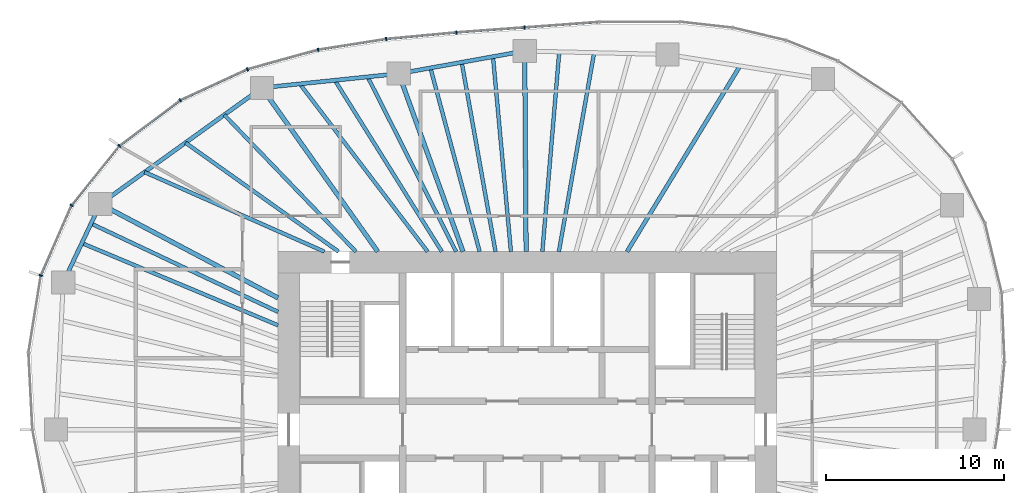
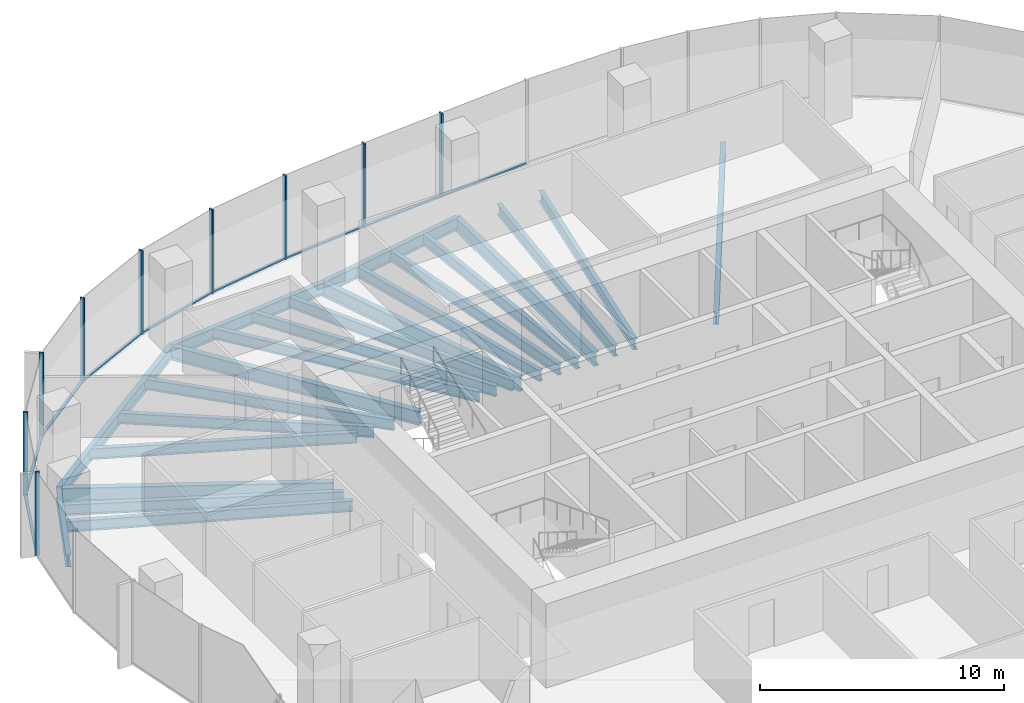
# One storey, part 5 of 12: 22 beams, 18 members, 6 elements without a shape of their own.
"""IFC4 building model written with IfcOpenShell, lengths in metres."""

import ifcopenshell
import ifcopenshell.guid

model = None  # the IFC model being written
_history = None  # IfcOwnerHistory: only IFC2X3 demands one
_inside = {}  # id of a spatial element -> (the spatial element, [elements in it])
_under = {}  # id of a project, library or spatial element -> (it, [spatial elements below it])
_declared = {}  # id of a project -> (the project, [libraries it declares])
_typed = {}  # id of a type object -> (the type object, [elements of that type])
_made_of = {}  # id of a material, layer set ... -> (it, [elements and type objects made of it])


def new_model(schema):
    """Start an empty IFC model of exactly this schema.

    Asked for "IFC4X3", IfcOpenShell would pick the latest addendum, in which some entities
    have other attributes; the version numbers below select the first issue.
    IFC2X3 requires an IfcOwnerHistory on every rooted entity: one is made here for all.
    """
    global model, _history
    if schema == "IFC4X3":
        model = ifcopenshell.file(schema_version=(4, 3, 0, 0))
    else:
        model = ifcopenshell.file(schema=schema)
    _inside.clear()
    _under.clear()
    _declared.clear()
    _typed.clear()
    _made_of.clear()
    _history = None
    if model.schema == "IFC2X3":
        org = make("IfcOrganization", Name="unknown")
        user = make(
            "IfcPersonAndOrganization",
            ThePerson=make("IfcPerson", FamilyName="unknown"),
            TheOrganization=org,
        )
        app = make(
            "IfcApplication",
            ApplicationDeveloper=org,
            Version="unknown",
            ApplicationFullName="unknown",
            ApplicationIdentifier="unknown",
        )
        _history = make(
            "IfcOwnerHistory",
            OwningUser=user,
            OwningApplication=app,
            ChangeAction="ADDED",
            CreationDate=0,
        )
    return model


def make(cls, **values):
    """One entity of the class cls with the attributes given. An attribute that is None is left unset."""
    return model.create_entity(
        cls, **{name: value for name, value in values.items() if value is not None}
    )


def rooted(cls, **values):
    """An entity with a GlobalId (a new one), such as an element, a storey or a relation."""
    return make(cls, GlobalId=ifcopenshell.guid.new(), OwnerHistory=_history, **values)


def si_unit(unit_type, name, prefix=None):
    """IfcSIUnit, for example si_unit("LENGTHUNIT", "METRE", prefix="MILLI")."""
    return make("IfcSIUnit", UnitType=unit_type, Prefix=prefix, Name=name)


def assignment(units):
    """IfcUnitAssignment: the units of a project."""
    return None if units is None else make("IfcUnitAssignment", Units=units)


def point(xyz):
    """IfcCartesianPoint."""
    return None if xyz is None else make("IfcCartesianPoint", Coordinates=xyz)


def direction(xyz):
    """IfcDirection."""
    return None if xyz is None else make("IfcDirection", DirectionRatios=xyz)


def frame(location, z_axis=None, x_axis=None):
    """IfcAxis2Placement3D, a coordinate frame: its origin and axes. An axis left out is left unset."""
    return make(
        "IfcAxis2Placement3D",
        Location=point(location),
        Axis=direction(z_axis),
        RefDirection=direction(x_axis),
    )


def frame_2d(location, x_axis=None):
    """IfcAxis2Placement2D, a coordinate frame in the plane: its origin and x axis."""
    return make(
        "IfcAxis2Placement2D", Location=point(location), RefDirection=direction(x_axis)
    )


def origin():
    """The frame at (0, 0, 0) with its axes left unset."""
    return frame((0.0, 0.0, 0.0))


def origin_2d():
    """The frame at (0, 0) in the plane with its x axis left unset."""
    return frame_2d((0.0, 0.0))


def place(relative_to, where):
    """IfcLocalPlacement: puts the frame where relative to a parent placement (None: the world)."""
    return make(
        "IfcLocalPlacement", PlacementRelTo=relative_to, RelativePlacement=where
    )


def context(
    kind, dimensions, precision=None, world=None, true_north=None, identifier=None
):
    """IfcGeometricRepresentationContext, for example the 3D "Model" context."""
    return make(
        "IfcGeometricRepresentationContext",
        ContextIdentifier=identifier,
        ContextType=kind,
        CoordinateSpaceDimension=dimensions,
        Precision=precision,
        WorldCoordinateSystem=world,
        TrueNorth=true_north,
    )


def subcontext(parent, identifier, kind, view, scale=None):
    """IfcGeometricRepresentationSubContext, for example "Body" below "Model"."""
    return make(
        "IfcGeometricRepresentationSubContext",
        ContextIdentifier=identifier,
        ContextType=kind,
        ParentContext=parent,
        TargetScale=scale,
        TargetView=view,
    )


def project(units=None, contexts=None):
    """IfcProject with its units and contexts."""
    return rooted(
        "IfcProject",
        Name="project",
        RepresentationContexts=contexts,
        UnitsInContext=assignment(units),
    )


def spatial(cls, under=None, at=None, **own):
    """A site, building, storey or space (cls), placed at a placement, below another one or the project."""
    s = rooted(cls, ObjectPlacement=at, **own)
    if under is not None:
        _under.setdefault(under.id(), (under, []))[1].append(s)
    return s


def profile(cls, at=None, kind="AREA", **sizes):
    """A parametric profile (cls). Its sizes go by their IFC names, for example OverallWidth=200.0."""
    return make(cls, ProfileType=kind, Position=at, **sizes)


def rectangle(**sizes):
    """IfcRectangleProfileDef."""
    return profile("IfcRectangleProfileDef", **sizes)


def i_section(**sizes):
    """IfcIShapeProfileDef."""
    return profile("IfcIShapeProfileDef", **sizes)


def extrude(swept, where, along, depth):
    """IfcExtrudedAreaSolid: the profile swept, set in the frame where, extruded along a direction by depth."""
    return make(
        "IfcExtrudedAreaSolid",
        SweptArea=swept,
        Position=where,
        ExtrudedDirection=direction(along),
        Depth=depth,
    )


def shape(context_of_items, identifier, shape_type, items):
    """IfcShapeRepresentation: the items that make up one representation, for example the "Body"."""
    return make(
        "IfcShapeRepresentation",
        ContextOfItems=context_of_items,
        RepresentationIdentifier=identifier,
        RepresentationType=shape_type,
        Items=items,
    )


def material(Name=None, Category=None):
    """IfcMaterial."""
    return make("IfcMaterial", Name=Name, Category=Category)


def material_profile(
    of_material, cross_section, Name=None, Category=None, Priority=None
):
    """IfcMaterialProfile: a cross section and its material."""
    return make(
        "IfcMaterialProfile",
        Name=Name,
        Material=of_material,
        Profile=cross_section,
        Priority=Priority,
        Category=Category,
    )


def profile_set(profiles, Name=None, composite=None):
    """IfcMaterialProfileSet."""
    return make(
        "IfcMaterialProfileSet",
        Name=Name,
        MaterialProfiles=profiles,
        CompositeProfile=composite,
    )


def made_of(thing, what):
    """Note that an element or type object is made of a material, layer set ...; save() writes the relation."""
    if what is not None:
        _made_of.setdefault(what.id(), (what, []))[1].append(thing)
    return thing


def type_object(cls, material=None, **own):
    """A type object (cls), such as IfcWallType, which elements share."""
    return made_of(rooted(cls, **own), material)


def element(
    cls,
    number,
    at=None,
    inside=None,
    cuts=None,
    type_object=None,
    material=None,
    context=None,
    identifier="Body",
    shape_type=None,
    held_by="IfcProductDefinitionShape",
    body=None,
    shapes=None,
    **own,
):
    """One element of the class cls, such as IfcWall. Its Tag is "e" and its number.

    at: its placement. inside: the storey or other place that contains it. cuts: it is an
    opening in that element (IfcRelVoidsElement). A single representation is given by context,
    identifier, shape_type and body (its items); several are given by shapes. held_by: the class
    of the entity that holds the representations. save() writes the other relations.
    """
    e = rooted(cls, Tag="e%d" % number, ObjectPlacement=at, **own)
    if body is not None:
        shapes = [shape(context, identifier, shape_type, body)]
    if shapes is not None:
        e.Representation = make(held_by, Representations=shapes)
    if inside is not None:
        _inside.setdefault(inside.id(), (inside, []))[1].append(e)
    if cuts is not None:
        rooted(
            "IfcRelVoidsElement", RelatingBuildingElement=cuts, RelatedOpeningElement=e
        )
    if type_object is not None:
        _typed.setdefault(type_object.id(), (type_object, []))[1].append(e)
    return made_of(e, material)


def aggregate(whole, parts):
    """IfcRelAggregates: a whole, such as a stair, and the parts it consists of."""
    return rooted("IfcRelAggregates", RelatingObject=whole, RelatedObjects=parts)


def save(model, path):
    """Write the relations noted so far, then the file.

    IfcRelAggregates (storeys below a building ...), IfcRelContainedInSpatialStructure (elements
    in a storey), IfcRelDefinesByType, IfcRelAssociatesMaterial and IfcRelDeclares: one each for
    every whole, place, type object, material and project.
    """
    for whole, parts in _under.values():
        aggregate(whole, parts)
    for where, things in _inside.values():
        rooted(
            "IfcRelContainedInSpatialStructure",
            RelatedElements=things,
            RelatingStructure=where,
        )
    for kind, things in _typed.values():
        rooted("IfcRelDefinesByType", RelatedObjects=things, RelatingType=kind)
    for what, things in _made_of.values():
        rooted("IfcRelAssociatesMaterial", RelatedObjects=things, RelatingMaterial=what)
    for by, libraries in _declared.values():
        rooted("IfcRelDeclares", RelatingContext=by, RelatedDefinitions=libraries)
    model.write(path)


model = new_model("IFC4")

# Units and contexts
model_context = context("Model", 3, precision=1e-05, world=origin(), true_north=direction((0.0, 1.0)))
body_context = subcontext(model_context, "Body", "Model", "MODEL_VIEW")
ifc_project = project(units=[si_unit("LENGTHUNIT", "METRE"), si_unit("AREAUNIT", "SQUARE_METRE"), si_unit("VOLUMEUNIT", "CUBIC_METRE"), si_unit("PLANEANGLEUNIT", "RADIAN"), si_unit("MASSUNIT", "GRAM", prefix="KILO")], contexts=[model_context])

# Site, building, storey
site_placement = place(None, origin())
site = spatial("IfcSite", under=ifc_project, at=site_placement, CompositionType="ELEMENT")
building_placement = place(site_placement, origin())
building = spatial("IfcBuilding", under=site, at=building_placement, Name="Ghaith Harvest Tower", CompositionType="ELEMENT")
storey_placement = place(building_placement, frame((0.0, 0.0, 224.199951171875)))
storey = spatial("IfcBuildingStorey", under=building, at=storey_placement, Name="L49", CompositionType="ELEMENT", Elevation=224.199951171875)

# Curtain wall, members
ifc_material_1 = material(Name="Black anodised aluminium and fritted glass", Category="aluminium")
curtain_wall_type = type_object("IfcCurtainWallType", Name="CW-H CURTAIN WALL", PredefinedType="NOTDEFINED", material=ifc_material_1)
curtain_wall_1_placement = place(storey_placement, origin())
curtain_wall_1 = element("IfcCurtainWall", 1, at=curtain_wall_1_placement, inside=storey, type_object=curtain_wall_type, Name="Curtain wall CW-H bay 06 L49", PredefinedType="NOTDEFINED")
ifc_material_2 = material(Name="Aluminium, black anodised", Category="aluminium")
ifc_material_profile_1 = material_profile(ifc_material_2, rectangle(XDim=0.080078125, YDim=0.199951171875, at=origin_2d()), Name="CW-H MULLION 80x200")
ifc_profile_set_1 = profile_set([ifc_material_profile_1], Name="Aluminium, black anodised")
member_type_1 = type_object("IfcMemberType", Name="CW-H MULLION 80x200", PredefinedType="MULLION", material=ifc_profile_set_1)
member_1_placement = place(storey_placement, frame((-0.154541015625, 22.590576171875, 0.0), z_axis=(0.0, 0.0, 1.0), x_axis=(-0.997329249665, -0.073036756239, 0.0)))
member_1 = element("IfcMember", 2, at=member_1_placement, type_object=member_type_1, Name="CW-H mullion 1 bay 06 L49", PredefinedType="MULLION", context=body_context, shape_type="SweptSolid", body=[
    extrude(rectangle(XDim=0.080078125, YDim=0.199951171875, at=origin_2d()), origin(), (0.0, 0.0, 1.0), 4.199951171875),
])
member_2_placement = place(storey_placement, frame((-3.984375, 22.310302734375, 0.0), z_axis=(0.0, 0.0, 1.0), x_axis=(-0.996522526822, -0.083323787336, 0.0)))
member_2 = element("IfcMember", 3, at=member_2_placement, type_object=member_type_1, Name="CW-H mullion 2 bay 06 L49", PredefinedType="MULLION", context=body_context, shape_type="SweptSolid", body=[
    extrude(rectangle(XDim=0.080078125, YDim=0.199951171875, at=origin_2d()), origin(), (0.0, 0.0, 1.0), 4.199951171875),
])

curtain_wall_2_placement = place(storey_placement, origin())
curtain_wall_2 = element("IfcCurtainWall", 4, at=curtain_wall_2_placement, inside=storey, type_object=curtain_wall_type, Name="Curtain wall CW-H bay 07 L49", PredefinedType="NOTDEFINED")
member_3_placement = place(storey_placement, frame((-7.924560546875, 21.94091796875, 0.0), z_axis=(0.0, 0.0, 1.0), x_axis=(-0.992235485325, -0.124373396119, 0.0)))
member_3 = element("IfcMember", 5, at=member_3_placement, type_object=member_type_1, Name="CW-H mullion 1 bay 07 L49", PredefinedType="MULLION", context=body_context, shape_type="SweptSolid", body=[
    extrude(rectangle(XDim=0.080078125, YDim=0.199951171875, at=origin_2d()), origin(), (0.0, 0.0, 1.0), 4.199951171875),
])
member_4_placement = place(storey_placement, frame((-11.75244140625, 21.336669921875, 0.0), z_axis=(0.0, 0.0, 1.0), x_axis=(-0.977086484172, -0.212842670646, 0.0)))
member_4 = element("IfcMember", 6, at=member_4_placement, type_object=member_type_1, Name="CW-H mullion 2 bay 07 L49", PredefinedType="MULLION", context=body_context, shape_type="SweptSolid", body=[
    extrude(rectangle(XDim=0.080078125, YDim=0.199951171875, at=origin_2d()), origin(), (0.0, 0.0, 1.0), 4.199951171875),
])

curtain_wall_3_placement = place(storey_placement, origin())
curtain_wall_3 = element("IfcCurtainWall", 7, at=curtain_wall_3_placement, inside=storey, type_object=curtain_wall_type, Name="Curtain wall CW-H bay 08 L49", PredefinedType="NOTDEFINED")
member_5_placement = place(storey_placement, frame((-15.720947265625, 20.242431640625, 0.0), z_axis=(0.0, 0.0, 1.0), x_axis=(-0.938930986476, -0.344105510906, 0.0)))
member_5 = element("IfcMember", 8, at=member_5_placement, type_object=member_type_1, Name="CW-H mullion 1 bay 08 L49", PredefinedType="MULLION", context=body_context, shape_type="SweptSolid", body=[
    extrude(rectangle(XDim=0.080078125, YDim=0.199951171875, at=origin_2d()), origin(), (0.0, 0.0, 1.0), 4.199951171875),
])
member_6_placement = place(storey_placement, frame((-19.4951171875, 18.4990234375, 0.0), z_axis=(0.0, 0.0, 1.0), x_axis=(-0.857998754004, -0.513651767376, 0.0)))
member_6 = element("IfcMember", 9, at=member_6_placement, type_object=member_type_1, Name="CW-H mullion 2 bay 08 L49", PredefinedType="MULLION", context=body_context, shape_type="SweptSolid", body=[
    extrude(rectangle(XDim=0.080078125, YDim=0.199951171875, at=origin_2d()), origin(), (0.0, 0.0, 1.0), 4.199951171875),
])

curtain_wall_4_placement = place(storey_placement, origin())
curtain_wall_4 = element("IfcCurtainWall", 10, at=curtain_wall_4_placement, inside=storey, type_object=curtain_wall_type, Name="Curtain wall CW-H bay 09 L49", PredefinedType="NOTDEFINED")
member_7_placement = place(storey_placement, frame((-22.908203125, 15.939697265625, 0.0), z_axis=(0.0, 0.0, 1.0), x_axis=(-0.719146135082, -0.694858860774, 0.0)))
member_7 = element("IfcMember", 11, at=member_7_placement, type_object=member_type_1, Name="CW-H mullion 1 bay 09 L49", PredefinedType="MULLION", context=body_context, shape_type="SweptSolid", body=[
    extrude(rectangle(XDim=0.080078125, YDim=0.199951171875, at=origin_2d()), origin(), (0.0, 0.0, 1.0), 4.199951171875),
])
member_8_placement = place(storey_placement, frame((-25.599609375, 12.6005859375, 0.0), z_axis=(0.0, 0.0, 1.0), x_axis=(-0.518769201232, -0.854914332464, 0.0)))
member_8 = element("IfcMember", 12, at=member_8_placement, type_object=member_type_1, Name="CW-H mullion 2 bay 09 L49", PredefinedType="MULLION", context=body_context, shape_type="SweptSolid", body=[
    extrude(rectangle(XDim=0.080078125, YDim=0.199951171875, at=origin_2d()), origin(), (0.0, 0.0, 1.0), 4.199951171875),
])

# Curtain wall, member
curtain_wall_5_placement = place(storey_placement, origin())
curtain_wall_5 = element("IfcCurtainWall", 13, at=curtain_wall_5_placement, inside=storey, type_object=curtain_wall_type, Name="Curtain wall CW-H bay 10 L49", PredefinedType="NOTDEFINED")
member_9_placement = place(storey_placement, frame((-27.32568359375, 8.659912109375, 0.0), z_axis=(0.0, 0.0, 1.0), x_axis=(-0.280520268431, -0.959848102045, 0.0)))
member_9 = element("IfcMember", 14, at=member_9_placement, type_object=member_type_1, Name="CW-H mullion 1 bay 10 L49", PredefinedType="MULLION", context=body_context, shape_type="SweptSolid", body=[
    extrude(rectangle(XDim=0.080078125, YDim=0.199951171875, at=origin_2d()), origin(), (0.0, 0.0, 1.0), 4.199951171875),
])
aggregate(curtain_wall_5, [member_9])

curtain_wall_6_placement = place(storey_placement, origin())
curtain_wall_6 = element("IfcCurtainWall", 15, at=curtain_wall_6_placement, inside=storey, type_object=curtain_wall_type, Name="Curtain wall CW-H bay 05 L49", PredefinedType="NOTDEFINED")
ifc_material_3 = material(Name="Aluminium, black anodised", Category="aluminium")
ifc_material_profile_2 = material_profile(ifc_material_3, rectangle(XDim=0.1298828125, YDim=0.080078125, at=origin_2d()), Name="CW-H TRANSOM 130x80")
ifc_profile_set_2 = profile_set([ifc_material_profile_2], Name="Aluminium, black anodised")
member_type_2 = type_object("IfcMemberType", Name="CW-H TRANSOM 130x80", PredefinedType="USERDEFINED", material=ifc_profile_set_2)
member_10_placement = place(storey_placement, frame((4.01953125, 22.896484375, 0.0400390625), z_axis=(-0.997325457985, -0.07308851384, 0.0), x_axis=(0.07308851384, -0.997325457985, 0.0)))
member_10 = element("IfcMember", 16, at=member_10_placement, type_object=member_type_2, Name="CW-H transom 2 bay 05 L49", ObjectType="TRANSOM", PredefinedType="USERDEFINED", context=body_context, shape_type="SweptSolid", body=[
    extrude(rectangle(XDim=0.1298828125, YDim=0.080078125, at=origin_2d()), origin(), (0.0, 0.0, 1.0), 4.145263671875),
])
aggregate(curtain_wall_6, [member_10])

# Member
member_11_placement = place(storey_placement, frame((-0.194580078125, 22.587646484375, 0.0400390625), z_axis=(-0.997332916649, -0.072986665689, 0.0), x_axis=(0.072986665689, -0.997332916649, 0.0)))
member_11 = element("IfcMember", 17, at=member_11_placement, type_object=member_type_2, Name="CW-H transom 1 bay 06 L49", ObjectType="TRANSOM", PredefinedType="USERDEFINED", context=body_context, shape_type="SweptSolid", body=[
    extrude(rectangle(XDim=0.1298828125, YDim=0.080078125, at=origin_2d()), origin(), (0.0, 0.0, 1.0), 3.759765625),
])

member_12_placement = place(storey_placement, frame((-4.024169921875, 22.306640625, 0.0400390625), z_axis=(-0.995631116984, -0.093373866217, 0.0), x_axis=(0.093373866217, -0.995631116984, 0.0)))
member_12 = element("IfcMember", 18, at=member_12_placement, type_object=member_type_2, Name="CW-H transom 2 bay 06 L49", ObjectType="TRANSOM", PredefinedType="USERDEFINED", context=body_context, shape_type="SweptSolid", body=[
    extrude(rectangle(XDim=0.1298828125, YDim=0.080078125, at=origin_2d()), origin(), (0.0, 0.0, 1.0), 3.87744140625),
])

aggregate(curtain_wall_1, [member_1, member_11, member_2, member_12])

member_13_placement = place(storey_placement, frame((-7.964111328125, 21.9345703125, 0.0400390625), z_axis=(-0.98776765914, -0.155932843097, 0.0), x_axis=(0.155932843097, -0.98776765914, 0.0)))
member_13 = element("IfcMember", 19, at=member_13_placement, type_object=member_type_2, Name="CW-H transom 1 bay 07 L49", ObjectType="TRANSOM", PredefinedType="USERDEFINED", context=body_context, shape_type="SweptSolid", body=[
    extrude(rectangle(XDim=0.1298828125, YDim=0.080078125, at=origin_2d()), origin(), (0.0, 0.0, 1.0), 3.795166015625),
])

member_14_placement = place(storey_placement, frame((-11.791015625, 21.325927734375, 0.0400390625), z_axis=(-0.964038584245, -0.265762315024, 0.0), x_axis=(0.265762315024, -0.964038584245, 0.0)))
member_14 = element("IfcMember", 20, at=member_14_placement, type_object=member_type_2, Name="CW-H transom 2 bay 07 L49", ObjectType="TRANSOM", PredefinedType="USERDEFINED", context=body_context, shape_type="SweptSolid", body=[
    extrude(rectangle(XDim=0.1298828125, YDim=0.080078125, at=origin_2d()), origin(), (0.0, 0.0, 1.0), 4.03662109375),
])

aggregate(curtain_wall_2, [member_3, member_13, member_4, member_14])

member_15_placement = place(storey_placement, frame((-15.75732421875, 20.2255859375, 0.0400390625), z_axis=(-0.907831404762, -0.419335355686, 0.0), x_axis=(0.419335355686, -0.907831404762, 0.0)))
member_15 = element("IfcMember", 21, at=member_15_placement, type_object=member_type_2, Name="CW-H transom 1 bay 08 L49", ObjectType="TRANSOM", PredefinedType="USERDEFINED", context=body_context, shape_type="SweptSolid", body=[
    extrude(rectangle(XDim=0.1298828125, YDim=0.080078125, at=origin_2d()), origin(), (0.0, 0.0, 1.0), 4.0771484375),
])

member_16_placement = place(storey_placement, frame((-19.527099609375, 18.47509765625, 0.0400390625), z_axis=(-0.800041988873, -0.599944010755, 0.0), x_axis=(0.599944010755, -0.800041988873, 0.0)))
member_16 = element("IfcMember", 22, at=member_16_placement, type_object=member_type_2, Name="CW-H transom 2 bay 08 L49", ObjectType="TRANSOM", PredefinedType="USERDEFINED", context=body_context, shape_type="SweptSolid", body=[
    extrude(rectangle(XDim=0.1298828125, YDim=0.080078125, at=origin_2d()), origin(), (0.0, 0.0, 1.0), 4.186279296875),
])

aggregate(curtain_wall_3, [member_5, member_15, member_6, member_16])

member_17_placement = place(storey_placement, frame((-22.933349609375, 15.90869140625, 0.0400390625), z_axis=(-0.6275347306, -0.778588570357, 0.0), x_axis=(0.778588570357, -0.6275347306, 0.0)))
member_17 = element("IfcMember", 23, at=member_17_placement, type_object=member_type_2, Name="CW-H transom 1 bay 09 L49", ObjectType="TRANSOM", PredefinedType="USERDEFINED", context=body_context, shape_type="SweptSolid", body=[
    extrude(rectangle(XDim=0.1298828125, YDim=0.080078125, at=origin_2d()), origin(), (0.0, 0.0, 1.0), 4.208740234375),
])

member_18_placement = place(storey_placement, frame((-25.61572265625, 12.56396484375, 0.0400390625), z_axis=(-0.401185844746, -0.915996680112, 0.0), x_axis=(0.915996680112, -0.401185844746, 0.0)))
member_18 = element("IfcMember", 24, at=member_18_placement, type_object=member_type_2, Name="CW-H transom 2 bay 09 L49", ObjectType="TRANSOM", PredefinedType="USERDEFINED", context=body_context, shape_type="SweptSolid", body=[
    extrude(rectangle(XDim=0.1298828125, YDim=0.080078125, at=origin_2d()), origin(), (0.0, 0.0, 1.0), 4.22216796875),
])

aggregate(curtain_wall_4, [member_7, member_17, member_8, member_18])

# Beams
ifc_material_4 = material(Name="Steel ASTM A992 Grade 50", Category="steel")
ifc_material_profile_3 = material_profile(ifc_material_4, i_section(OverallWidth=0.22900390625, OverallDepth=0.612060546875, WebThickness=0.011962890625, FlangeThickness=0.01953125, at=origin_2d()), Name="W610X125")
ifc_profile_set_3 = profile_set([ifc_material_profile_3], Name="Steel ASTM A992 Grade 50")
beam_type_1 = type_object("IfcBeamType", Name="E610-125 W610X125", PredefinedType="SPANDREL", material=ifc_profile_set_3)
beam_1_placement = place(storey_placement, frame((-0.14599609375, 21.27099609375, -0.475830078125), z_axis=(-0.984177047684, -0.177187863051, 0.0), x_axis=(0.177187863051, -0.984177047684, 0.0)))
element("IfcBeam", 25, at=beam_1_placement, inside=storey, type_object=beam_type_1, Name="Edge beam E06 L49", PredefinedType="SPANDREL", context=body_context, shape_type="SweptSolid", body=[
    extrude(i_section(OverallWidth=0.22900390625, OverallDepth=0.612060546875, WebThickness=0.011962890625, FlangeThickness=0.01953125, at=origin_2d()), origin(), (0.0, 0.0, 1.0), 7.189697265625),
])
beam_2_placement = place(storey_placement, frame((-7.221923828125, 19.9970703125, -0.475830078125), z_axis=(-0.994669141618, -0.103117887451, 0.0), x_axis=(0.103117887451, -0.994669141618, 0.0)))
element("IfcBeam", 26, at=beam_2_placement, inside=storey, type_object=beam_type_1, Name="Edge beam E07 L49", PredefinedType="SPANDREL", context=body_context, shape_type="SweptSolid", body=[
    extrude(i_section(OverallWidth=0.22900390625, OverallDepth=0.612060546875, WebThickness=0.011962890625, FlangeThickness=0.01953125, at=origin_2d()), origin(), (0.0, 0.0, 1.0), 7.730224609375),
])
beam_3_placement = place(storey_placement, frame((-14.910888671875, 19.199951171875, -0.475830078125), z_axis=(-0.812050311838, -0.583587432219, 0.0), x_axis=(0.583587432219, -0.812050311838, 0.0)))
element("IfcBeam", 27, at=beam_3_placement, inside=storey, type_object=beam_type_1, Name="Edge beam E08 L49", PredefinedType="SPANDREL", context=body_context, shape_type="SweptSolid", body=[
    extrude(i_section(OverallWidth=0.22900390625, OverallDepth=0.612060546875, WebThickness=0.011962890625, FlangeThickness=0.01953125, at=origin_2d()), origin(), (0.0, 0.0, 1.0), 11.175537109375),
])
beam_4_placement = place(storey_placement, frame((-23.986083984375, 12.677978515625, -0.475830078125), z_axis=(-0.426170247297, -0.904642979478, 0.0), x_axis=(0.904642979478, -0.426170247297, 0.0)))
element("IfcBeam", 28, at=beam_4_placement, inside=storey, type_object=beam_type_1, Name="Edge beam E09 L49", PredefinedType="SPANDREL", context=body_context, shape_type="SweptSolid", body=[
    extrude(i_section(OverallWidth=0.22900390625, OverallDepth=0.612060546875, WebThickness=0.011962890625, FlangeThickness=0.01953125, at=origin_2d()), origin(), (0.0, 0.0, 1.0), 4.882568359375),
])
ifc_material_5 = material(Name="Steel ASTM A992 Grade 50", Category="steel")
ifc_material_profile_4 = material_profile(ifc_material_5, i_section(OverallWidth=0.256103515625, OverallDepth=0.693115234375, WebThickness=0.014404296875, FlangeThickness=0.023681640625, at=origin_2d()), Name="W690X170")
ifc_profile_set_4 = profile_set([ifc_material_profile_4], Name="Steel ASTM A992 Grade 50")
beam_type_2 = type_object("IfcBeamType", Name="G690-170 W690X170", PredefinedType="BEAM", material=ifc_profile_set_4)
beam_5_placement = place(storey_placement, frame((-0.068359375, 10.0, -0.516357421875), z_axis=(-0.006888022705, 0.99997627729, 0.0), x_axis=(-0.99997627729, -0.006888022705, 0.0)))
element("IfcBeam", 29, at=beam_5_placement, inside=storey, type_object=beam_type_2, Name="Radial girder G06 L49", PredefinedType="BEAM", context=body_context, shape_type="SweptSolid", body=[
    extrude(i_section(OverallWidth=0.256103515625, OverallDepth=0.693115234375, WebThickness=0.014404296875, FlangeThickness=0.023681640625, at=origin_2d()), origin(), (0.0, 0.0, 1.0), 11.271240234375),
])
beam_6_placement = place(storey_placement, frame((-3.61181640625, 10.0, -0.516357421875), z_axis=(-0.339648979266, 0.940552269086, 0.0), x_axis=(-0.940552269086, -0.339648979266, 0.0)))
element("IfcBeam", 30, at=beam_6_placement, inside=storey, type_object=beam_type_2, Name="Radial girder G07 L49", PredefinedType="BEAM", context=body_context, shape_type="SweptSolid", body=[
    extrude(i_section(OverallWidth=0.256103515625, OverallDepth=0.693115234375, WebThickness=0.014404296875, FlangeThickness=0.023681640625, at=origin_2d()), origin(), (0.0, 0.0, 1.0), 10.62890625),
])
beam_7_placement = place(storey_placement, frame((-8.39990234375, 10.0, -0.516357421875), z_axis=(-0.577683734365, 0.816260683268, 0.0), x_axis=(-0.816260683268, -0.577683734365, 0.0)))
element("IfcBeam", 31, at=beam_7_placement, inside=storey, type_object=beam_type_2, Name="Radial girder G08 L49", PredefinedType="BEAM", context=body_context, shape_type="SweptSolid", body=[
    extrude(i_section(OverallWidth=0.256103515625, OverallDepth=0.693115234375, WebThickness=0.014404296875, FlangeThickness=0.023681640625, at=origin_2d()), origin(), (0.0, 0.0, 1.0), 11.270751953125),
])
beam_8_placement = place(storey_placement, frame((-14.0, 7.39990234375, -0.516357421875), z_axis=(-0.884105273337, 0.467287776062, 0.0), x_axis=(-0.467287776062, -0.884105273337, 0.0)))
element("IfcBeam", 32, at=beam_8_placement, inside=storey, type_object=beam_type_2, Name="Radial girder G09 L49", PredefinedType="BEAM", context=body_context, shape_type="SweptSolid", body=[
    extrude(i_section(OverallWidth=0.256103515625, OverallDepth=0.693115234375, WebThickness=0.014404296875, FlangeThickness=0.023681640625, at=origin_2d()), origin(), (0.0, 0.0, 1.0), 11.295166015625),
])
ifc_material_6 = material(Name="Steel ASTM A992 Grade 50", Category="steel")
ifc_material_profile_5 = material_profile(ifc_material_6, i_section(OverallWidth=0.2109375, OverallDepth=0.5390625, WebThickness=0.01171875, FlangeThickness=0.018798828125, at=origin_2d()), Name="W530X109")
ifc_profile_set_5 = profile_set([ifc_material_profile_5], Name="Steel ASTM A992 Grade 50")
beam_type_3 = type_object("IfcBeamType", Name="J530-109 W530X109", PredefinedType="JOIST", material=ifc_profile_set_5)
beam_9_placement = place(storey_placement, frame((1.772705078125, 10.0, -0.439453125), z_axis=(0.17455599258, 0.984647249249, 0.0), x_axis=(-0.984647249249, 0.17455599258, 0.0)))
element("IfcBeam", 33, at=beam_9_placement, inside=storey, type_object=beam_type_3, Name="Joist J05.2 L49", PredefinedType="JOIST", context=body_context, shape_type="SweptSolid", body=[
    extrude(i_section(OverallWidth=0.2109375, OverallDepth=0.5390625, WebThickness=0.01171875, FlangeThickness=0.018798828125, at=origin_2d()), origin(), (0.0, 0.0, 1.0), 11.3486328125),
])
beam_10_placement = place(storey_placement, frame((0.844970703125, 10.0, -0.439453125), z_axis=(0.084213263804, 0.996447753873, 0.0), x_axis=(-0.996447753873, 0.084213263804, 0.0)))
element("IfcBeam", 34, at=beam_10_placement, inside=storey, type_object=beam_type_3, Name="Joist J05.3 L49", PredefinedType="JOIST", context=body_context, shape_type="SweptSolid", body=[
    extrude(i_section(OverallWidth=0.2109375, OverallDepth=0.5390625, WebThickness=0.01171875, FlangeThickness=0.018798828125, at=origin_2d()), origin(), (0.0, 0.0, 1.0), 11.262939453125),
])
beam_11_placement = place(storey_placement, frame((-0.92041015625, 10.0, -0.439453125), z_axis=(-0.091648687045, 0.995791402937, 0.0), x_axis=(-0.995791402937, -0.091648687045, 0.0)))
element("IfcBeam", 35, at=beam_11_placement, inside=storey, type_object=beam_type_3, Name="Joist J06.1 L49", PredefinedType="JOIST", context=body_context, shape_type="SweptSolid", body=[
    extrude(i_section(OverallWidth=0.2109375, OverallDepth=0.5390625, WebThickness=0.01171875, FlangeThickness=0.018798828125, at=origin_2d()), origin(), (0.0, 0.0, 1.0), 10.99658203125),
])
beam_12_placement = place(storey_placement, frame((-1.785888671875, 10.0, -0.439453125), z_axis=(-0.175793767479, 0.984427016754, 0.0), x_axis=(-0.984427016754, -0.175793767479, 0.0)))
element("IfcBeam", 36, at=beam_12_placement, inside=storey, type_object=beam_type_3, Name="Joist J06.2 L49", PredefinedType="JOIST", context=body_context, shape_type="SweptSolid", body=[
    extrude(i_section(OverallWidth=0.2109375, OverallDepth=0.5390625, WebThickness=0.01171875, FlangeThickness=0.018798828125, at=origin_2d()), origin(), (0.0, 0.0, 1.0), 10.802001953125),
])
beam_13_placement = place(storey_placement, frame((-2.677978515625, 10.0, -0.439453125), z_axis=(-0.258674007994, 0.965964677195, 0.0), x_axis=(-0.965964677195, -0.258674007994, 0.0)))
element("IfcBeam", 37, at=beam_13_placement, inside=storey, type_object=beam_type_3, Name="Joist J06.3 L49", PredefinedType="JOIST", context=body_context, shape_type="SweptSolid", body=[
    extrude(i_section(OverallWidth=0.2109375, OverallDepth=0.5390625, WebThickness=0.01171875, FlangeThickness=0.018798828125, at=origin_2d()), origin(), (0.0, 0.0, 1.0), 10.68115234375),
])
beam_14_placement = place(storey_placement, frame((-4.0, 10.0, -0.439453125), z_axis=(-0.451646219201, 0.892197115374, 0.0), x_axis=(-0.892197115374, -0.451646219201, 0.0)))
element("IfcBeam", 38, at=beam_14_placement, inside=storey, type_object=beam_type_3, Name="Joist J07.1 L49", PredefinedType="JOIST", context=body_context, shape_type="SweptSolid", body=[
    extrude(i_section(OverallWidth=0.2109375, OverallDepth=0.5390625, WebThickness=0.01171875, FlangeThickness=0.018798828125, at=origin_2d()), origin(), (0.0, 0.0, 1.0), 11.001953125),
])
beam_15_placement = place(storey_placement, frame((-4.800048828125, 10.0, -0.439453125), z_axis=(-0.529627564093, 0.848230300893, 0.0), x_axis=(-0.848230300893, -0.529627564093, 0.0)))
element("IfcBeam", 39, at=beam_15_placement, inside=storey, type_object=beam_type_3, Name="Joist J07.2 L49", PredefinedType="JOIST", context=body_context, shape_type="SweptSolid", body=[
    extrude(i_section(OverallWidth=0.2109375, OverallDepth=0.5390625, WebThickness=0.01171875, FlangeThickness=0.018798828125, at=origin_2d()), origin(), (0.0, 0.0, 1.0), 11.34716796875),
])
beam_16_placement = place(storey_placement, frame((-5.60009765625, 10.0, -0.439453125), z_axis=(-0.605976135502, 0.795482823952, 0.0), x_axis=(-0.795482823952, -0.605976135502, 0.0)))
element("IfcBeam", 40, at=beam_16_placement, inside=storey, type_object=beam_type_3, Name="Joist J07.3 L49", PredefinedType="JOIST", context=body_context, shape_type="SweptSolid", body=[
    extrude(i_section(OverallWidth=0.2109375, OverallDepth=0.5390625, WebThickness=0.01171875, FlangeThickness=0.018798828125, at=origin_2d()), origin(), (0.0, 0.0, 1.0), 11.84326171875),
])
beam_17_placement = place(storey_placement, frame((-9.626708984375, 10.0, -0.439453125), z_axis=(-0.69354049188, 0.720417647009, 0.0), x_axis=(-0.720417647009, -0.69354049188, 0.0)))
element("IfcBeam", 41, at=beam_17_placement, inside=storey, type_object=beam_type_3, Name="Joist J08.1 L49", PredefinedType="JOIST", context=body_context, shape_type="SweptSolid", body=[
    extrude(i_section(OverallWidth=0.2109375, OverallDepth=0.5390625, WebThickness=0.01171875, FlangeThickness=0.018798828125, at=origin_2d()), origin(), (0.0, 0.0, 1.0), 10.6640625),
])
beam_18_placement = place(storey_placement, frame((-10.60009765625, 10.0, -0.439453125), z_axis=(-0.814837070547, 0.579690045164, 0.0), x_axis=(-0.579690045164, -0.814837070547, 0.0)))
element("IfcBeam", 42, at=beam_18_placement, inside=storey, type_object=beam_type_3, Name="Joist J08.2 L49", PredefinedType="JOIST", context=body_context, shape_type="SweptSolid", body=[
    extrude(i_section(OverallWidth=0.2109375, OverallDepth=0.5390625, WebThickness=0.01171875, FlangeThickness=0.018798828125, at=origin_2d()), origin(), (0.0, 0.0, 1.0), 10.5537109375),
])
beam_19_placement = place(storey_placement, frame((-11.39990234375, 10.0, -0.439453125), z_axis=(-0.914561290029, 0.40444733499, 0.0), x_axis=(-0.40444733499, -0.914561290029, 0.0)))
element("IfcBeam", 43, at=beam_19_placement, inside=storey, type_object=beam_type_3, Name="Joist J08.3 L49", PredefinedType="JOIST", context=body_context, shape_type="SweptSolid", body=[
    extrude(i_section(OverallWidth=0.2109375, OverallDepth=0.5390625, WebThickness=0.01171875, FlangeThickness=0.018798828125, at=origin_2d()), origin(), (0.0, 0.0, 1.0), 11.041748046875),
])
beam_20_placement = place(storey_placement, frame((-14.0, 6.614990234375, -0.439453125), z_axis=(-0.904154184779, 0.427206285238, 0.0), x_axis=(-0.427206285238, -0.904154184779, 0.0)))
element("IfcBeam", 44, at=beam_20_placement, inside=storey, type_object=beam_type_3, Name="Joist J09.1 L49", PredefinedType="JOIST", context=body_context, shape_type="SweptSolid", body=[
    extrude(i_section(OverallWidth=0.2109375, OverallDepth=0.5390625, WebThickness=0.01171875, FlangeThickness=0.018798828125, at=origin_2d()), origin(), (0.0, 0.0, 1.0), 11.61767578125),
])
beam_21_placement = place(storey_placement, frame((-14.0, 5.862548828125, -0.439453125), z_axis=(-0.922380898158, 0.386281605455, 0.0), x_axis=(-0.386281605455, -0.922380898158, 0.0)))
element("IfcBeam", 45, at=beam_21_placement, inside=storey, type_object=beam_type_3, Name="Joist J09.2 L49", PredefinedType="JOIST", context=body_context, shape_type="SweptSolid", body=[
    extrude(i_section(OverallWidth=0.2109375, OverallDepth=0.5390625, WebThickness=0.01171875, FlangeThickness=0.018798828125, at=origin_2d()), origin(), (0.0, 0.0, 1.0), 11.94970703125),
])
ifc_material_7 = material(Name="Steel ASTM A992 Grade 50", Category="steel")
ifc_material_profile_6 = material_profile(ifc_material_7, i_section(OverallWidth=0.22900390625, OverallDepth=0.612060546875, WebThickness=0.011962890625, FlangeThickness=0.01953125, at=origin_2d()), Name="W610X125")
ifc_profile_set_6 = profile_set([ifc_material_profile_6], Name="Steel ASTM A992 Grade 50")
beam_type_4 = type_object("IfcBeamType", Name="J610-125 W610X125", PredefinedType="JOIST", material=ifc_profile_set_6)
beam_22_placement = place(storey_placement, frame((5.60009765625, 10.0, -0.475830078125), z_axis=(0.519863845761, 0.854249133374, 0.0), x_axis=(-0.854249133374, 0.519863845761, 0.0)))
element("IfcBeam", 46, at=beam_22_placement, inside=storey, type_object=beam_type_4, Name="Joist J04.2 L49", PredefinedType="JOIST", context=body_context, shape_type="SweptSolid", body=[
    extrude(i_section(OverallWidth=0.22900390625, OverallDepth=0.612060546875, WebThickness=0.011962890625, FlangeThickness=0.01953125, at=origin_2d()), origin(), (0.0, 0.0, 1.0), 12.209716796875),
])

save(model, "model.ifc")
